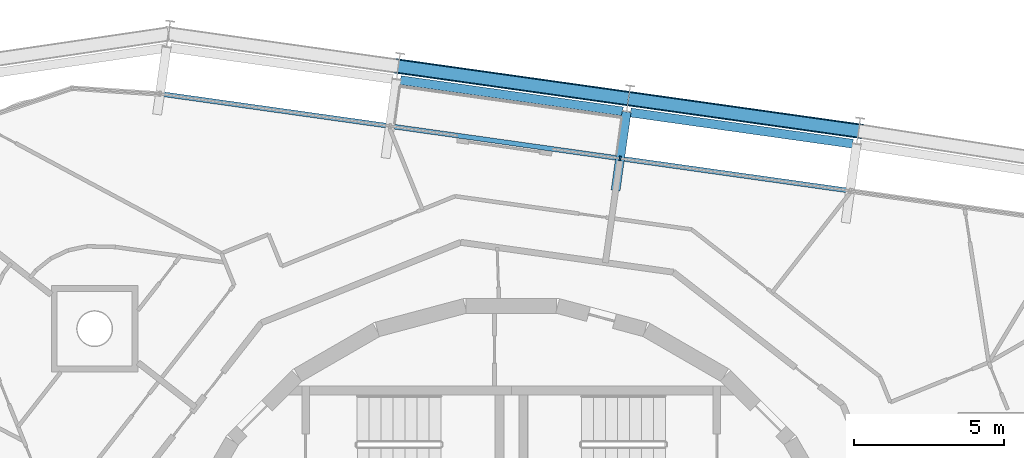
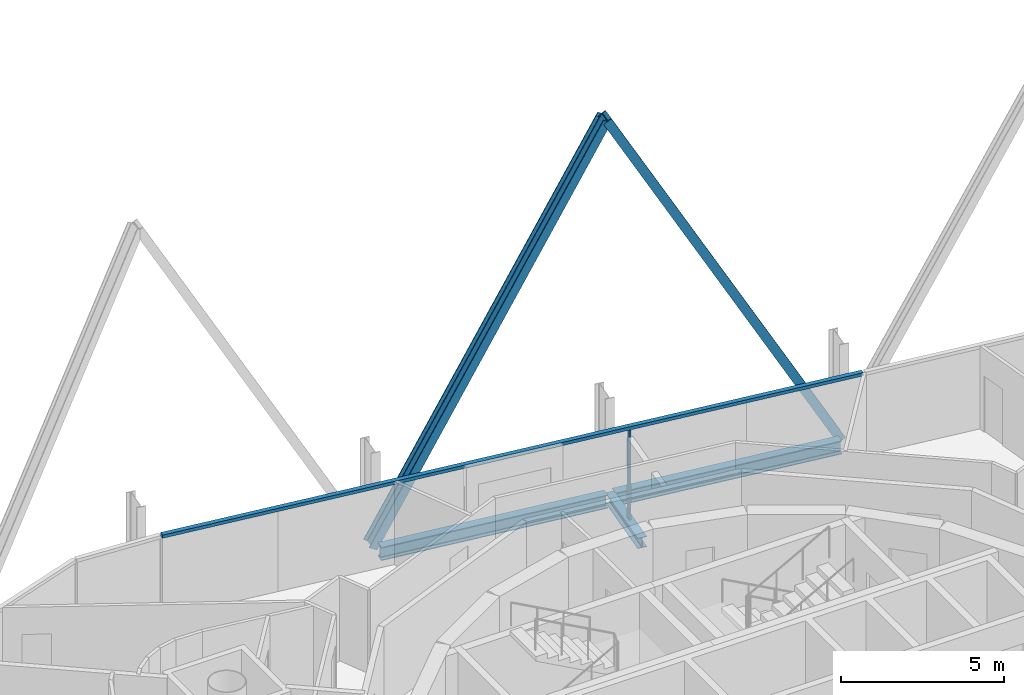
# One storey, part 6 of 15: 4 members, 3 beams, 1 element without a shape of its own.
"""IFC4 building model written with IfcOpenShell, lengths in metres."""

from ifc_helpers import new_model, si_unit, direction, frame, origin, origin_2d, place, context, subcontext, project, spatial, rectangle, i_section, extrude, material, layer, layer_set, material_profile, profile_set, type_object, element, aggregate, save


model = new_model("IFC4")

# Units and contexts
model_context = context("Model", 3, precision=1e-05, world=origin(), true_north=direction((0.0, 1.0)))
body_context = subcontext(model_context, "Body", "Model", "MODEL_VIEW")
ifc_project = project(units=[si_unit("LENGTHUNIT", "METRE"), si_unit("AREAUNIT", "SQUARE_METRE"), si_unit("VOLUMEUNIT", "CUBIC_METRE"), si_unit("PLANEANGLEUNIT", "RADIAN"), si_unit("MASSUNIT", "GRAM", prefix="KILO")], contexts=[model_context])

# Site, building, storey
site_placement = place(None, origin())
site = spatial("IfcSite", under=ifc_project, at=site_placement, CompositionType="ELEMENT")
building_placement = place(site_placement, origin())
building = spatial("IfcBuilding", under=site, at=building_placement, Name="Spindle Arch Residences", CompositionType="ELEMENT")
storey_placement = place(building_placement, frame((0.0, 0.0, 347.0)))
storey = spatial("IfcBuildingStorey", under=building, at=storey_placement, Name="L89", CompositionType="ELEMENT", Elevation=347.0)

# Curtain wall, members
ifc_material_1 = material(Name="Aluminium bronze unitised frame with tinted glass", Category="aluminium")
ifc_layer = layer(ifc_material_1, 0.159912109375)
ifc_layer_set = layer_set([ifc_layer], Name="CW-C typical residential unitised wall")
curtain_wall_type = type_object("IfcCurtainWallType", Name="CW-C typical residential unitised wall", PredefinedType="NOTDEFINED", material=ifc_layer_set)
curtain_wall_placement = place(storey_placement, origin())
curtain_wall = element("IfcCurtainWall", 1, at=curtain_wall_placement, inside=storey, type_object=curtain_wall_type, Name="CW-C L89 run 2", PredefinedType="NOTDEFINED")
ifc_material_2 = material(Name="Aluminium bronze anodised mullion", Category="aluminium")
ifc_material_profile_1 = material_profile(ifc_material_2, rectangle(XDim=0.159912109375, YDim=0.06005859375, at=origin_2d()), Name="MU 60x160")
ifc_profile_set_1 = profile_set([ifc_material_profile_1], Name="Aluminium bronze anodised mullion")
member_type_1 = type_object("IfcMemberType", Name="Bronze mullion 60x160", PredefinedType="MULLION", material=ifc_profile_set_1)
member_1_placement = place(storey_placement, frame((3.63623046875, 16.57373046875, -0.3798828125), z_axis=(0.0, 0.0, 1.0), x_axis=(-0.13917310096, -0.990268068742, 0.0)))
member_1 = element("IfcMember", 2, at=member_1_placement, type_object=member_type_1, Name="CW-C mullion 06", PredefinedType="MULLION", context=body_context, shape_type="SweptSolid", body=[
    extrude(rectangle(XDim=0.159912109375, YDim=0.06005859375, at=origin_2d()), origin(), (0.0, 0.0, 1.0), 3.3798828125),
])
ifc_material_3 = material(Name="Aluminium bronze anodised transom", Category="aluminium")
ifc_material_profile_2 = material_profile(ifc_material_3, rectangle(XDim=0.159912109375, YDim=0.1201171875, at=origin_2d()), Name="TR 120x160")
ifc_profile_set_2 = profile_set([ifc_material_profile_2], Name="Aluminium bronze anodised transom")
member_type_2 = type_object("IfcMemberType", Name="Bronze transom 120x160", PredefinedType="USERDEFINED", material=ifc_profile_set_2)
member_2_placement = place(storey_placement, frame((11.296630859375, 15.4970703125, 3.06005859375), z_axis=(-0.990268437621, 0.13917047622, 0.0), x_axis=(-0.13917047622, -0.990268437621, 0.0)))
member_2 = element("IfcMember", 3, at=member_2_placement, type_object=member_type_2, Name="CW-C transom 00", ObjectType="TRANSOM", PredefinedType="USERDEFINED", context=body_context, shape_type="SweptSolid", body=[
    extrude(rectangle(XDim=0.159912109375, YDim=0.1201171875, at=origin_2d()), origin(), (0.0, 0.0, 1.0), 23.23681640625),
])
aggregate(curtain_wall, [member_2, member_1])

# Members
ifc_material_4 = material(Name="Steel S460ML, intumescent coating R 240", Category="steel")
ifc_material_profile_3 = material_profile(ifc_material_4, i_section(OverallWidth=0.300048828125, OverallDepth=0.5, WebThickness=0.014404296875, FlangeThickness=0.028076171875, FilletRadius=0.027099609375, at=origin_2d()), Name="HEB 500")
ifc_profile_set_3 = profile_set([ifc_material_profile_3], Name="Steel S460ML, intumescent coating R 240")
member_type_3 = type_object("IfcMemberType", Name="Diagrid diagonal HEB 500", PredefinedType="BRACE", material=ifc_profile_set_3)
for number, where, z_axis, x_axis, name in (
    (4, (11.607421875, 17.4931640625, -0.6298828125), (-0.480336831704, 0.067510672232, 0.874482039406), (0.865970712775, -0.121710976743, 0.485057896293), "Diagrid diagonal 9.2.6"),
    (5, (-3.772705078125, 19.65478515625, -0.6298828125), (0.480348562854, -0.067510177712, 0.874475633777), (-0.865964902034, 0.121706296114, 0.485069444442), "Diagrid diagonal 9.2.7"),
):
    element("IfcMember", number, at=place(storey_placement, frame(where, z_axis=z_axis, x_axis=x_axis)), inside=storey, type_object=member_type_3, Name=name, PredefinedType="BRACE", context=body_context, shape_type="SweptSolid", body=[
        extrude(i_section(OverallWidth=0.300048828125, OverallDepth=0.5, WebThickness=0.014404296875, FlangeThickness=0.028076171875, FilletRadius=0.027099609375, at=origin_2d()), origin(), (0.0, 0.0, 1.0), 16.009521484375),
    ])

# Beams
ifc_material_5 = material(Name="Steel S460ML, intumescent coating R 120", Category="steel")
ifc_material_profile_4 = material_profile(ifc_material_5, i_section(OverallWidth=0.300048828125, OverallDepth=0.5, WebThickness=0.014404296875, FlangeThickness=0.028076171875, FilletRadius=0.027099609375, at=origin_2d()), Name="HEB 500")
ifc_profile_set_4 = profile_set([ifc_material_profile_4], Name="Steel S460ML, intumescent coating R 120")
beam_type_1 = type_object("IfcBeamType", Name="Exoskeleton edge beam HEB 500", PredefinedType="BEAM", material=ifc_profile_set_4)
for number, where, z_axis, x_axis, name in (
    (6, (11.416015625, 17.065673828125, -0.6298828125), (-0.990266388354, 0.139185057015, 0.0), (-0.139185057015, -0.990266388354, 0.0), "Exoskeleton edge beam 6"),
    (7, (3.72607421875, 18.146484375, -0.6298828125), (-0.990270871131, 0.139153159463, 0.0), (-0.139153159463, -0.990270871131, 0.0), "Exoskeleton edge beam 7"),
):
    element("IfcBeam", number, at=place(storey_placement, frame(where, z_axis=z_axis, x_axis=x_axis)), inside=storey, type_object=beam_type_1, Name=name, PredefinedType="BEAM", context=body_context, shape_type="SweptSolid", body=[
        extrude(i_section(OverallWidth=0.300048828125, OverallDepth=0.5, WebThickness=0.014404296875, FlangeThickness=0.028076171875, FilletRadius=0.027099609375, at=origin_2d()), origin(), (0.0, 0.0, 1.0), 7.505615234375),
    ])
ifc_material_6 = material(Name="Steel S460ML, intumescent coating R 120", Category="steel")
ifc_material_profile_5 = material_profile(ifc_material_6, i_section(OverallWidth=0.300048828125, OverallDepth=0.389892578125, WebThickness=0.010986328125, FlangeThickness=0.01904296875, FilletRadius=0.027099609375, at=origin_2d()), Name="HEA 400")
ifc_profile_set_5 = profile_set([ifc_material_profile_5], Name="Steel S460ML, intumescent coating R 120")
beam_type_2 = type_object("IfcBeamType", Name="Floor outrigger HEA 400", PredefinedType="BEAM", material=ifc_profile_set_5)
beam_placement = place(storey_placement, frame((3.854736328125, 18.12841796875, -0.574951171875), z_axis=(-0.13911226088, -0.990276617351, 0.0), x_axis=(0.990276617351, -0.13911226088, 0.0)))
element("IfcBeam", 8, at=beam_placement, inside=storey, type_object=beam_type_2, Name="Floor outrigger 7", PredefinedType="BEAM", context=body_context, shape_type="SweptSolid", body=[
    extrude(i_section(OverallWidth=0.300048828125, OverallDepth=0.389892578125, WebThickness=0.010986328125, FlangeThickness=0.01904296875, FilletRadius=0.027099609375, at=origin_2d()), origin(), (0.0, 0.0, 1.0), 2.650146484375),
])

save(model, "model.ifc")
